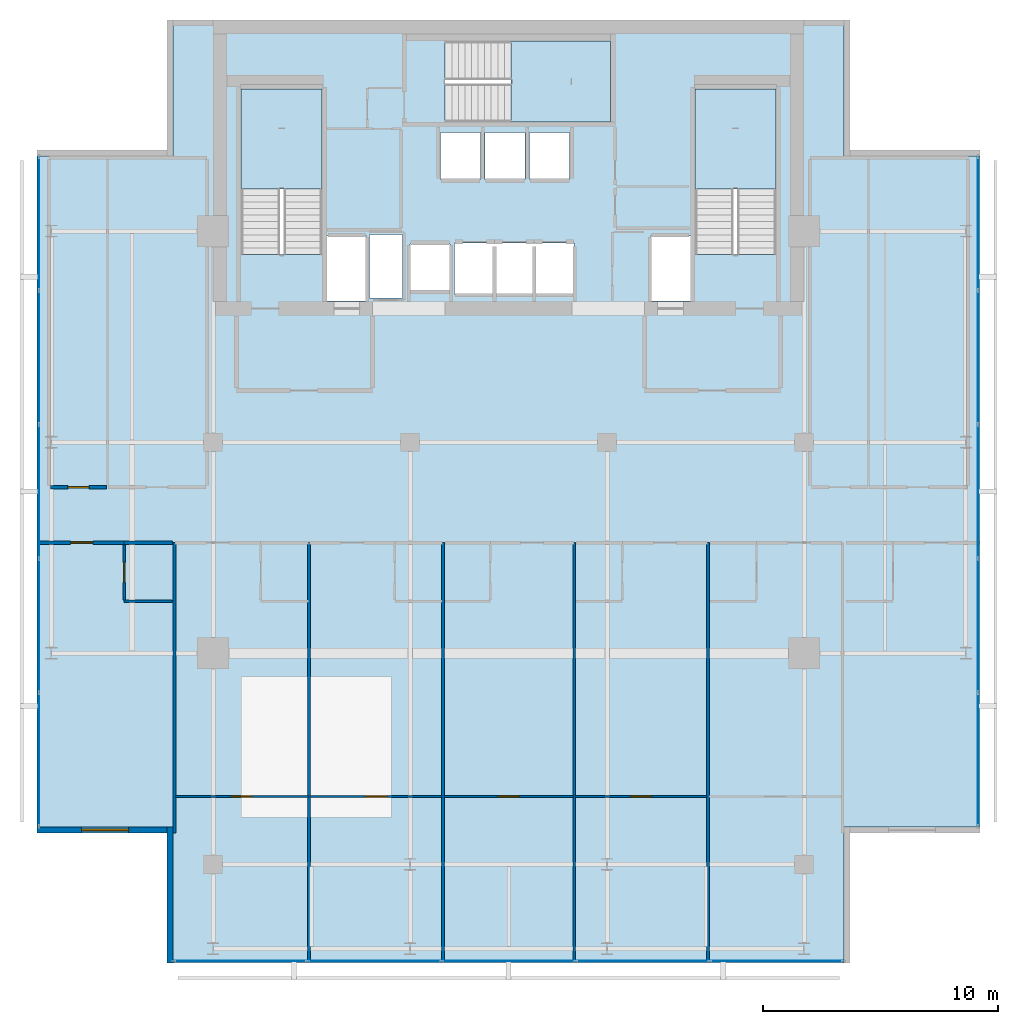
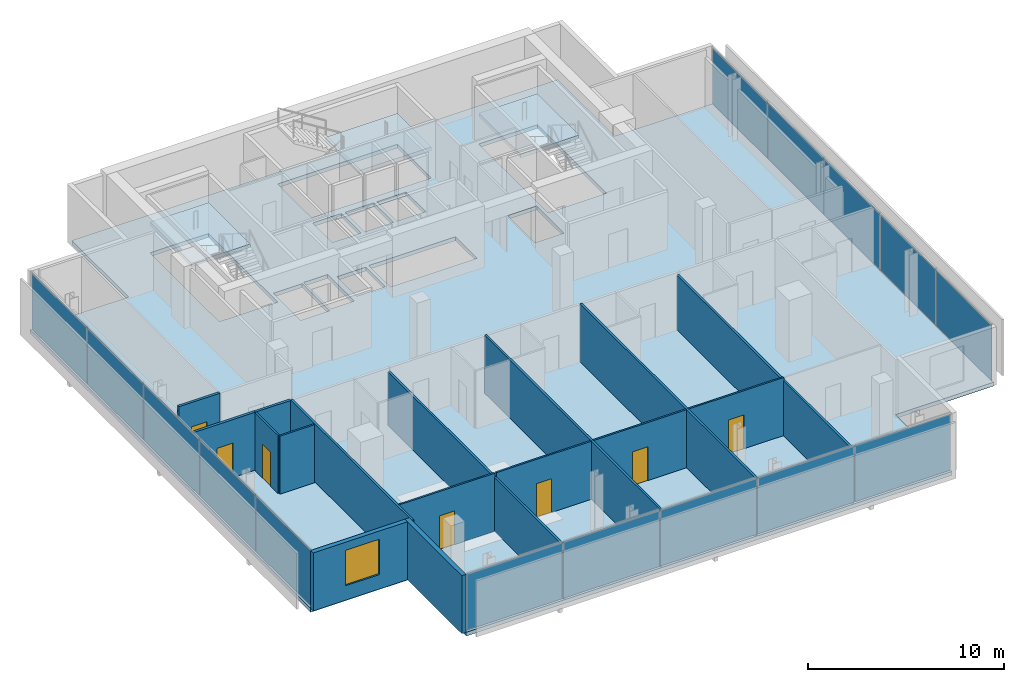
# One storey, part 16 of 24: 16 walls, 15 plates, 7 doors, 4 slabs, 1 window, 8 openings, 6 elements without a shape of their own.
"""IFC4 building model written with IfcOpenShell, lengths in metres."""

from ifc_helpers import new_model, si_unit, direction, frame, frame_2d, origin, origin_2d, place, context, subcontext, project, spatial, polyline, rectangle, outline, extrude, material, layer, layer_set, type_object, element, fill, aggregate, save


model = new_model("IFC4")

# Units and contexts
model_context = context("Model", 3, precision=1e-05, world=origin(), true_north=direction((0.0, 1.0)))
body_context = subcontext(model_context, "Body", "Model", "MODEL_VIEW")
ifc_project = project(units=[si_unit("LENGTHUNIT", "METRE"), si_unit("AREAUNIT", "SQUARE_METRE"), si_unit("VOLUMEUNIT", "CUBIC_METRE"), si_unit("PLANEANGLEUNIT", "RADIAN"), si_unit("MASSUNIT", "GRAM", prefix="KILO")], contexts=[model_context])

# Site, building, storey
site_placement = place(None, origin())
site = spatial("IfcSite", under=ifc_project, at=site_placement, CompositionType="ELEMENT")
building_placement = place(site_placement, origin())
building = spatial("IfcBuilding", under=site, at=building_placement, Name="Maruvema Waterfront Hotel and Observation Tower", CompositionType="ELEMENT")
storey_placement = place(building_placement, frame((0.0, 0.0, 333.550048828125)))
storey = spatial("IfcBuildingStorey", under=building, at=storey_placement, Name="L82", CompositionType="ELEMENT", Elevation=333.550048828125)

# Slab
ifc_material_1 = material(Name="Concrete C50/60", Category="concrete")
ifc_layer_1 = layer(ifc_material_1, 0.239990234375, Name="Reinforced Concrete Floor Slab 240 mm")
ifc_layer_set_1 = layer_set([ifc_layer_1], Name="Concrete C50/60")
slab_type_1 = type_object("IfcSlabType", Name="Reinforced Concrete Floor Slab 240 mm", PredefinedType="FLOOR", material=ifc_layer_set_1)
slab_1_placement = place(storey_placement, frame((0.0, 0.0, -0.239990234375)))
element("IfcSlab", 1, at=slab_1_placement, inside=storey, type_object=slab_type_1, Name="L82 Structural Floor Slab", PredefinedType="FLOOR", context=body_context, shape_type="SweptSolid", body=[
    extrude(outline(polyline([(23.5, 13.800048828125), (52.10009765625, 13.800048828125), (52.10009765625, 19.60009765625), (57.89990234375, 19.60009765625), (57.89990234375, 48.199951171875), (52.10009765625, 48.199951171875), (52.10009765625, 54.0), (23.5, 54.0), (23.5, 48.199951171875), (17.699951171875, 48.199951171875), (17.699951171875, 19.60009765625), (23.5, 19.60009765625), (23.5, 13.800048828125)]), holes=[polyline([(26.39990234375, 44.00048828125), (26.39990234375, 51.050048828125), (29.85009765625, 51.050048828125), (29.85009765625, 44.00048828125), (26.39990234375, 44.00048828125)]), polyline([(30.050048828125, 44.800048828125), (31.75, 44.800048828125), (31.75, 42.02001953125), (30.050048828125, 42.02001953125), (30.050048828125, 44.800048828125)]), polyline([(31.8798828125, 42.139892578125), (31.8798828125, 44.860107421875), (33.280029296875, 44.860107421875), (33.280029296875, 42.139892578125), (31.8798828125, 42.139892578125)]), polyline([(33.60009765625, 44.449951171875), (35.300048828125, 44.449951171875), (35.300048828125, 42.449951171875), (33.60009765625, 42.449951171875), (33.60009765625, 44.449951171875)]), polyline([(34.89990234375, 49.199951171875), (36.60009765625, 49.199951171875), (36.60009765625, 47.199951171875), (34.89990234375, 47.199951171875), (34.89990234375, 49.199951171875)]), polyline([(36.800048828125, 47.199951171875), (36.800048828125, 49.199951171875), (38.5, 49.199951171875), (38.5, 47.199951171875), (36.800048828125, 47.199951171875)]), polyline([(35.5, 42.300048828125), (35.5, 44.5), (40.60009765625, 44.5), (40.60009765625, 42.300048828125), (35.5, 42.300048828125)]), polyline([(35.1005859375, 53.10009765625), (42.14990234375, 53.10009765625), (42.14990234375, 49.64990234375), (35.1005859375, 49.64990234375), (35.1005859375, 53.10009765625)]), polyline([(38.699951171875, 49.199951171875), (40.39990234375, 49.199951171875), (40.39990234375, 47.199951171875), (38.699951171875, 47.199951171875), (38.699951171875, 49.199951171875)]), polyline([(43.85009765625, 44.800048828125), (45.550048828125, 44.800048828125), (45.550048828125, 42.02001953125), (43.85009765625, 42.02001953125), (43.85009765625, 44.800048828125)]), polyline([(45.75, 44.00048828125), (45.75, 51.050048828125), (49.199951171875, 51.050048828125), (49.199951171875, 44.00048828125), (45.75, 44.00048828125)])]), origin(), (0.0, 0.0, 1.0), 0.239990234375),
])

# Curtain wall, plates
ifc_material_2 = material(Name="Anodised bronze aluminium and solar-control low-E IGU", Category="aluminium")
ifc_layer_2 = layer(ifc_material_2, 0.159912109375, Name="Zone 4 Sky Residence Inner Curtain Wall System CW-05")
ifc_layer_set_2 = layer_set([ifc_layer_2], Name="Anodised bronze aluminium and solar-control low-E IGU")
curtain_wall_type = type_object("IfcCurtainWallType", Name="Zone 4 Sky Residence Inner Curtain Wall System CW-05", PredefinedType="USERDEFINED", material=ifc_layer_set_2)
curtain_wall_1_placement = place(storey_placement, origin())
curtain_wall_1 = element("IfcCurtainWall", 2, at=curtain_wall_1_placement, inside=storey, type_object=curtain_wall_type, Name="L82 Curtain Wall CW-L82-S", ObjectType="UNITISED CURTAIN WALL", PredefinedType="USERDEFINED")
ifc_material_3 = material(Name="Laminated low-E solar-control double glazing", Category="glass")
ifc_layer_3 = layer(ifc_material_3, 0.035888671875, Name="Solar Control Double-Glazed Curtain Panel 36 mm")
ifc_layer_set_3 = layer_set([ifc_layer_3], Name="Laminated low-E solar-control double glazing")
plate_type = type_object("IfcPlateType", Name="Solar Control Double-Glazed Curtain Panel 36 mm", PredefinedType="CURTAIN_PANEL", material=ifc_layer_set_3)
plate_1_placement = place(storey_placement, frame((26.375, 13.8798828125, 0.06005859375), z_axis=(0.0, 0.0, 1.0), x_axis=(1.0, 0.0, 0.0)))
plate_1 = element("IfcPlate", 3, at=plate_1_placement, type_object=plate_type, Name="CW-05 panel 1.1", PredefinedType="CURTAIN_PANEL", context=body_context, shape_type="SweptSolid", body=[
    extrude(rectangle(XDim=5.6298828125, YDim=0.028076171875, at=origin_2d()), origin(), (0.0, 0.0, 1.0), 3.489990234375),
])
plate_2_placement = place(storey_placement, frame((32.080078125, 13.8798828125, 0.06005859375), z_axis=(0.0, 0.0, 1.0), x_axis=(1.0, 0.0, 0.0)))
plate_2 = element("IfcPlate", 4, at=plate_2_placement, type_object=plate_type, Name="CW-05 panel 2.1", PredefinedType="CURTAIN_PANEL", context=body_context, shape_type="SweptSolid", body=[
    extrude(rectangle(XDim=5.659912109375, YDim=0.028076171875, at=origin_2d()), origin(), (0.0, 0.0, 1.0), 3.489990234375),
])
plate_3_placement = place(storey_placement, frame((37.800048828125, 13.8798828125, 0.06005859375), z_axis=(0.0, 0.0, 1.0), x_axis=(1.0, 0.0, 0.0)))
plate_3 = element("IfcPlate", 5, at=plate_3_placement, type_object=plate_type, Name="CW-05 panel 3.1", PredefinedType="CURTAIN_PANEL", context=body_context, shape_type="SweptSolid", body=[
    extrude(rectangle(XDim=5.659912109375, YDim=0.028076171875, at=origin_2d()), origin(), (0.0, 0.0, 1.0), 3.489990234375),
])
plate_4_placement = place(storey_placement, frame((43.52001953125, 13.8798828125, 0.06005859375), z_axis=(0.0, 0.0, 1.0), x_axis=(1.0, 0.0, 0.0)))
plate_4 = element("IfcPlate", 6, at=plate_4_placement, type_object=plate_type, Name="CW-05 panel 4.1", PredefinedType="CURTAIN_PANEL", context=body_context, shape_type="SweptSolid", body=[
    extrude(rectangle(XDim=5.659912109375, YDim=0.028076171875, at=origin_2d()), origin(), (0.0, 0.0, 1.0), 3.489990234375),
])
plate_5_placement = place(storey_placement, frame((49.22509765625, 13.8798828125, 0.06005859375), z_axis=(0.0, 0.0, 1.0), x_axis=(1.0, 0.0, 0.0)))
plate_5 = element("IfcPlate", 7, at=plate_5_placement, type_object=plate_type, Name="CW-05 panel 5.1", PredefinedType="CURTAIN_PANEL", context=body_context, shape_type="SweptSolid", body=[
    extrude(rectangle(XDim=5.6298828125, YDim=0.028076171875, at=origin_2d()), origin(), (0.0, 0.0, 1.0), 3.489990234375),
])
aggregate(curtain_wall_1, [plate_1, plate_2, plate_3, plate_4, plate_5])

curtain_wall_2_placement = place(storey_placement, origin())
curtain_wall_2 = element("IfcCurtainWall", 8, at=curtain_wall_2_placement, inside=storey, type_object=curtain_wall_type, Name="L82 Curtain Wall CW-L82-E", ObjectType="UNITISED CURTAIN WALL", PredefinedType="USERDEFINED")
plate_6_placement = place(storey_placement, frame((57.820068359375, 22.47509765625, 0.06005859375), z_axis=(0.0, 0.0, 1.0), x_axis=(0.0, 1.0, 0.0)))
plate_6 = element("IfcPlate", 9, at=plate_6_placement, type_object=plate_type, Name="CW-05 panel 1.1", PredefinedType="CURTAIN_PANEL", context=body_context, shape_type="SweptSolid", body=[
    extrude(rectangle(XDim=5.6298828125, YDim=0.028076171875, at=origin_2d()), origin(), (0.0, 0.0, 1.0), 3.489990234375),
])
plate_7_placement = place(storey_placement, frame((57.820068359375, 28.179931640625, 0.06005859375), z_axis=(0.0, 0.0, 1.0), x_axis=(0.0, 1.0, 0.0)))
plate_7 = element("IfcPlate", 10, at=plate_7_placement, type_object=plate_type, Name="CW-05 panel 2.1", PredefinedType="CURTAIN_PANEL", context=body_context, shape_type="SweptSolid", body=[
    extrude(rectangle(XDim=5.659912109375, YDim=0.028076171875, at=origin_2d()), origin(), (0.0, 0.0, 1.0), 3.489990234375),
])
plate_8_placement = place(storey_placement, frame((57.820068359375, 33.89990234375, 0.06005859375), z_axis=(0.0, 0.0, 1.0), x_axis=(0.0, 1.0, 0.0)))
plate_8 = element("IfcPlate", 11, at=plate_8_placement, type_object=plate_type, Name="CW-05 panel 3.1", PredefinedType="CURTAIN_PANEL", context=body_context, shape_type="SweptSolid", body=[
    extrude(rectangle(XDim=5.659912109375, YDim=0.028076171875, at=origin_2d()), origin(), (0.0, 0.0, 1.0), 3.489990234375),
])
plate_9_placement = place(storey_placement, frame((57.820068359375, 39.6201171875, 0.06005859375), z_axis=(0.0, 0.0, 1.0), x_axis=(0.0, 1.0, 0.0)))
plate_9 = element("IfcPlate", 12, at=plate_9_placement, type_object=plate_type, Name="CW-05 panel 4.1", PredefinedType="CURTAIN_PANEL", context=body_context, shape_type="SweptSolid", body=[
    extrude(rectangle(XDim=5.659912109375, YDim=0.028076171875, at=origin_2d()), origin(), (0.0, 0.0, 1.0), 3.489990234375),
])
plate_10_placement = place(storey_placement, frame((57.820068359375, 45.324951171875, 0.06005859375), z_axis=(0.0, 0.0, 1.0), x_axis=(0.0, 1.0, 0.0)))
plate_10 = element("IfcPlate", 13, at=plate_10_placement, type_object=plate_type, Name="CW-05 panel 5.1", PredefinedType="CURTAIN_PANEL", context=body_context, shape_type="SweptSolid", body=[
    extrude(rectangle(XDim=5.6298828125, YDim=0.028076171875, at=origin_2d()), origin(), (0.0, 0.0, 1.0), 3.489990234375),
])
aggregate(curtain_wall_2, [plate_6, plate_7, plate_8, plate_9, plate_10])

curtain_wall_3_placement = place(storey_placement, origin())
curtain_wall_3 = element("IfcCurtainWall", 14, at=curtain_wall_3_placement, inside=storey, type_object=curtain_wall_type, Name="L82 Curtain Wall CW-L82-W", ObjectType="UNITISED CURTAIN WALL", PredefinedType="USERDEFINED")
plate_11_placement = place(storey_placement, frame((17.780029296875, 45.324951171875, 0.06005859375), z_axis=(0.0, 0.0, 1.0), x_axis=(0.0, -1.0, 0.0)))
plate_11 = element("IfcPlate", 15, at=plate_11_placement, type_object=plate_type, Name="CW-05 panel 1.1", PredefinedType="CURTAIN_PANEL", context=body_context, shape_type="SweptSolid", body=[
    extrude(rectangle(XDim=5.6298828125, YDim=0.028076171875, at=origin_2d()), origin(), (0.0, 0.0, 1.0), 3.489990234375),
])
plate_12_placement = place(storey_placement, frame((17.780029296875, 39.6201171875, 0.06005859375), z_axis=(0.0, 0.0, 1.0), x_axis=(0.0, -1.0, 0.0)))
plate_12 = element("IfcPlate", 16, at=plate_12_placement, type_object=plate_type, Name="CW-05 panel 2.1", PredefinedType="CURTAIN_PANEL", context=body_context, shape_type="SweptSolid", body=[
    extrude(rectangle(XDim=5.659912109375, YDim=0.028076171875, at=origin_2d()), origin(), (0.0, 0.0, 1.0), 3.489990234375),
])
plate_13_placement = place(storey_placement, frame((17.780029296875, 33.89990234375, 0.06005859375), z_axis=(0.0, 0.0, 1.0), x_axis=(0.0, -1.0, 0.0)))
plate_13 = element("IfcPlate", 17, at=plate_13_placement, type_object=plate_type, Name="CW-05 panel 3.1", PredefinedType="CURTAIN_PANEL", context=body_context, shape_type="SweptSolid", body=[
    extrude(rectangle(XDim=5.659912109375, YDim=0.028076171875, at=origin_2d()), origin(), (0.0, 0.0, 1.0), 3.489990234375),
])
plate_14_placement = place(storey_placement, frame((17.780029296875, 28.179931640625, 0.06005859375), z_axis=(0.0, 0.0, 1.0), x_axis=(0.0, -1.0, 0.0)))
plate_14 = element("IfcPlate", 18, at=plate_14_placement, type_object=plate_type, Name="CW-05 panel 4.1", PredefinedType="CURTAIN_PANEL", context=body_context, shape_type="SweptSolid", body=[
    extrude(rectangle(XDim=5.659912109375, YDim=0.028076171875, at=origin_2d()), origin(), (0.0, 0.0, 1.0), 3.489990234375),
])
plate_15_placement = place(storey_placement, frame((17.780029296875, 22.47509765625, 0.06005859375), z_axis=(0.0, 0.0, 1.0), x_axis=(0.0, -1.0, 0.0)))
plate_15 = element("IfcPlate", 19, at=plate_15_placement, type_object=plate_type, Name="CW-05 panel 5.1", PredefinedType="CURTAIN_PANEL", context=body_context, shape_type="SweptSolid", body=[
    extrude(rectangle(XDim=5.6298828125, YDim=0.028076171875, at=origin_2d()), origin(), (0.0, 0.0, 1.0), 3.489990234375),
])
aggregate(curtain_wall_3, [plate_11, plate_12, plate_13, plate_14, plate_15])

# Stair, slab
ifc_material_4 = material(Name="Concrete C50/60", Category="concrete")
stair_type = type_object("IfcStairType", Name="Dogleg Exit Stair 1650 mm (22R x 175.0 mm)", PredefinedType="HALF_TURN_STAIR", material=ifc_material_4)
stair_1_placement = place(storey_placement, origin())
stair_1 = element("IfcStair", 20, at=stair_1_placement, inside=storey, type_object=stair_type, Name="L82 ST-01", PredefinedType="HALF_TURN_STAIR")
ifc_material_5 = material(Name="Concrete C50/60", Category="concrete")
ifc_layer_4 = layer(ifc_material_5, 0.219970703125, Name="Stair Concrete Landing Slab 220 mm")
ifc_layer_set_4 = layer_set([ifc_layer_4], Name="Concrete C50/60")
slab_type_2 = type_object("IfcSlabType", Name="Stair Concrete Landing Slab 220 mm", PredefinedType="LANDING", material=ifc_layer_set_4)
slab_2_placement = place(storey_placement, frame((0.0, 0.0, 1.704833984375)))
slab_2 = element("IfcSlab", 21, at=slab_2_placement, type_object=slab_type_2, Name="ST-01 landing 1", PredefinedType="LANDING", context=body_context, shape_type="SweptSolid", body=[
    extrude(outline(polyline([(29.85009765625, 46.800048828125), (29.85009765625, 51.050048828125), (26.39990234375, 51.050048828125), (26.39990234375, 46.800048828125), (29.85009765625, 46.800048828125)])), origin(), (0.0, 0.0, 1.0), 0.22021484375),
])
aggregate(stair_1, [slab_2])

stair_2_placement = place(storey_placement, origin())
stair_2 = element("IfcStair", 22, at=stair_2_placement, inside=storey, type_object=stair_type, Name="L82 ST-02", PredefinedType="HALF_TURN_STAIR")
slab_3_placement = place(storey_placement, frame((0.0, 0.0, 1.704833984375)))
slab_3 = element("IfcSlab", 23, at=slab_3_placement, type_object=slab_type_2, Name="ST-02 landing 1", PredefinedType="LANDING", context=body_context, shape_type="SweptSolid", body=[
    extrude(outline(polyline([(37.89990234375, 49.64990234375), (42.14990234375, 49.64990234375), (42.14990234375, 53.10009765625), (37.89990234375, 53.10009765625), (37.89990234375, 49.64990234375)])), origin(), (0.0, 0.0, 1.0), 0.22021484375),
])
aggregate(stair_2, [slab_3])

stair_3_placement = place(storey_placement, origin())
stair_3 = element("IfcStair", 24, at=stair_3_placement, inside=storey, type_object=stair_type, Name="L82 ST-03", PredefinedType="HALF_TURN_STAIR")
slab_4_placement = place(storey_placement, frame((0.0, 0.0, 1.704833984375)))
slab_4 = element("IfcSlab", 25, at=slab_4_placement, type_object=slab_type_2, Name="ST-03 landing 1", PredefinedType="LANDING", context=body_context, shape_type="SweptSolid", body=[
    extrude(outline(polyline([(49.199951171875, 46.800048828125), (49.199951171875, 51.050048828125), (45.75, 51.050048828125), (45.75, 46.800048828125), (49.199951171875, 46.800048828125)])), origin(), (0.0, 0.0, 1.0), 0.22021484375),
])
aggregate(stair_3, [slab_4])

# Wall, opening, door
ifc_material_6 = material(Name="Twin-stud acoustic gypsum drywall", Category="gypsum")
ifc_layer_5 = layer(ifc_material_6, 0.14990234375, Name="Acoustic Corridor and Suite Demising Wall 150 mm")
ifc_layer_set_5 = layer_set([ifc_layer_5], Name="Twin-stud acoustic gypsum drywall")
wall_type_1 = type_object("IfcWallType", Name="Acoustic Corridor and Suite Demising Wall 150 mm", PredefinedType="PARTITIONING", material=ifc_layer_set_5)
wall_1_placement = place(storey_placement, frame((18.260009765625, 34.080078125, 0.0), z_axis=(0.0, 0.0, 1.0), x_axis=(1.0, 0.0, 0.0)))
wall_1 = element("IfcWall", 26, at=wall_1_placement, inside=storey, type_object=wall_type_1, Name="L82 L82-Z4W Front 1 024", PredefinedType="PARTITIONING", context=body_context, shape_type="SweptSolid", body=[
    extrude(rectangle(XDim=2.407470703125, YDim=0.14990234375, at=frame_2d((1.20361328125, 0.0))), origin(), (0.0, 0.0, 1.0), 3.60986328125),
])
opening_1_placement = place(wall_1_placement, frame((0.753662109375, 0.0, 0.0)))
opening_1 = element("IfcOpeningElement", 27, at=opening_1_placement, cuts=wall_1, Name="Opening DR-090", PredefinedType="OPENING", context=body_context, shape_type="SweptSolid", body=[
    extrude(rectangle(XDim=0.89990234375, YDim=2.10009765625, at=frame_2d((0.449951171875, 1.050048828125))), frame((0.0, 0.0849609375, 0.0), z_axis=(0.0, -1.0, 0.0), x_axis=(1.0, 0.0, 0.0)), (0.0, 0.0, 1.0), 0.169921875),
])
ifc_material_7 = material(Name="Solid-core lacquered timber leaf", Category="wood")
door_type_1 = type_object("IfcDoorType", Name="Accessible Toilet and Room Door 900x2100 mm", OperationType="NOTDEFINED", PredefinedType="DOOR", material=ifc_material_7)
door_1_placement = place(opening_1_placement, frame((0.89990234375, 0.0, 0.0), z_axis=(0.0, 0.0, 1.0), x_axis=(-1.0, 0.0, 0.0)))
door_1 = element("IfcDoor", 28, at=door_1_placement, inside=storey, type_object=door_type_1, Name="L82 Butler Kitchenette Door", OperationType="SINGLE_SWING_RIGHT", OverallHeight=2.10009765625, OverallWidth=0.89990234375, PredefinedType="DOOR", context=body_context, shape_type="SweptSolid", body=[
    extrude(rectangle(XDim=0.89990234375, YDim=2.10009765625, at=frame_2d((0.449951171875, 1.050048828125))), frame((0.0, 0.02490234375, 0.0), z_axis=(0.0, -1.0, 0.0), x_axis=(1.0, 0.0, 0.0)), (0.0, 0.0, 1.0), 0.050048828125),
])
fill(opening_1, door_1)

# Wall
wall_2_placement = place(storey_placement, frame((21.409912109375, 31.719970703125, 0.0), z_axis=(0.0, 0.0, 1.0), x_axis=(1.0, 0.0, 0.0)))
element("IfcWall", 29, at=wall_2_placement, inside=storey, type_object=wall_type_1, Name="L82 Bath L82-SKW Back Wall 064", PredefinedType="PARTITIONING", context=body_context, shape_type="SweptSolid", body=[
    extrude(rectangle(XDim=2.06005859375, YDim=0.14990234375, at=frame_2d((1.030029296875, 0.0))), origin(), (0.0, 0.0, 1.0), 3.60986328125),
])

# Wall, opening, door
wall_3_placement = place(storey_placement, frame((17.7900390625, 31.719970703125, 0.0), z_axis=(0.0, 0.0, 1.0), x_axis=(1.0, 0.0, 0.0)))
wall_3 = element("IfcWall", 30, at=wall_3_placement, inside=storey, type_object=wall_type_1, Name="L82 Unit L82-SKW Corridor Wall 067", PredefinedType="PARTITIONING", context=body_context, shape_type="SweptSolid", body=[
    extrude(rectangle(XDim=3.619873046875, YDim=0.14990234375, at=frame_2d((1.81005859375, 0.0))), origin(), (0.0, 0.0, 1.0), 3.60986328125),
])
opening_2_placement = place(wall_3_placement, frame((1.3349609375, 0.0, 0.0)))
opening_2 = element("IfcOpeningElement", 31, at=opening_2_placement, cuts=wall_3, Name="Opening DR-095", PredefinedType="OPENING", context=body_context, shape_type="SweptSolid", body=[
    extrude(rectangle(XDim=0.949951171875, YDim=2.14990234375, at=frame_2d((0.47509765625, 1.074951171875))), frame((0.0, 0.0849609375, 0.0), z_axis=(0.0, -1.0, 0.0), x_axis=(1.0, 0.0, 0.0)), (0.0, 0.0, 1.0), 0.169921875),
])
ifc_material_8 = material(Name="Acoustic solid-core hardwood timber leaf", Category="wood")
door_type_2 = type_object("IfcDoorType", Name="Guestroom Entrance Fire Door 950x2150 mm", OperationType="NOTDEFINED", PredefinedType="DOOR", material=ifc_material_8)
door_2_placement = place(opening_2_placement, frame((0.949951171875, 0.0, 0.0), z_axis=(0.0, 0.0, 1.0), x_axis=(-1.0, 0.0, 0.0)))
door_2 = element("IfcDoor", 32, at=door_2_placement, inside=storey, type_object=door_type_2, Name="L82 Unit L82-SKW Entrance Door", OperationType="SINGLE_SWING_RIGHT", OverallHeight=2.14990234375, OverallWidth=0.949951171875, PredefinedType="DOOR", context=body_context, shape_type="SweptSolid", body=[
    extrude(rectangle(XDim=0.949951171875, YDim=2.14990234375, at=frame_2d((0.47509765625, 1.074951171875))), frame((0.0, 0.02490234375, 0.0), z_axis=(0.0, -1.0, 0.0), x_axis=(1.0, 0.0, 0.0)), (0.0, 0.0, 1.0), 0.050048828125),
])
fill(opening_2, door_2)

ifc_material_9 = material(Name="Moisture-resistant cement-board drywall", Category="gypsum")
ifc_layer_6 = layer(ifc_material_9, 0.10009765625, Name="En-Suite Moisture-Resistant Partition 100 mm")
ifc_layer_set_6 = layer_set([ifc_layer_6], Name="Moisture-resistant cement-board drywall")
wall_type_2 = type_object("IfcWallType", Name="En-Suite Moisture-Resistant Partition 100 mm", PredefinedType="PARTITIONING", material=ifc_layer_set_6)
wall_4_placement = place(storey_placement, frame((23.6025390625, 20.893310546875, 0.0), z_axis=(0.0, 0.0, 1.0), x_axis=(1.0, 0.0, 0.0)))
wall_4 = element("IfcWall", 33, at=wall_4_placement, inside=storey, type_object=wall_type_2, Name="L82 Suite L82-SK1 Split 039", PredefinedType="PARTITIONING", context=body_context, shape_type="SweptSolid", body=[
    extrude(rectangle(XDim=5.657470703125, YDim=0.10009765625, at=frame_2d((2.82861328125, 0.0))), origin(), (0.0, 0.0, 1.0), 3.60986328125),
])
opening_3_placement = place(wall_4_placement, frame((2.37890625, 0.0, 0.0)))
opening_3 = element("IfcOpeningElement", 34, at=opening_3_placement, cuts=wall_4, Name="Opening DR-090", PredefinedType="OPENING", context=body_context, shape_type="SweptSolid", body=[
    extrude(rectangle(XDim=0.89990234375, YDim=2.10009765625, at=frame_2d((0.449951171875, 1.050048828125))), frame((0.0, 0.06005859375, 0.0), z_axis=(0.0, -1.0, 0.0), x_axis=(1.0, 0.0, 0.0)), (0.0, 0.0, 1.0), 0.1201171875),
])
door_3_placement = place(opening_3_placement, frame((0.89990234375, 0.0, 0.0), z_axis=(0.0, 0.0, 1.0), x_axis=(-1.0, 0.0, 0.0)))
door_3 = element("IfcDoor", 35, at=door_3_placement, inside=storey, type_object=door_type_1, Name="L82 Suite L82-SK1 Bedroom Door", OperationType="SINGLE_SWING_RIGHT", OverallHeight=2.10009765625, OverallWidth=0.89990234375, PredefinedType="DOOR", context=body_context, shape_type="SweptSolid", body=[
    extrude(rectangle(XDim=0.89990234375, YDim=2.10009765625, at=frame_2d((0.449951171875, 1.050048828125))), frame((0.0, 0.02490234375, 0.0), z_axis=(0.0, -1.0, 0.0), x_axis=(1.0, 0.0, 0.0)), (0.0, 0.0, 1.0), 0.050048828125),
])
fill(opening_3, door_3)

wall_5_placement = place(storey_placement, frame((29.340087890625, 20.893310546875, 0.0), z_axis=(0.0, 0.0, 1.0), x_axis=(1.0, 0.0, 0.0)))
wall_5 = element("IfcWall", 36, at=wall_5_placement, inside=storey, type_object=wall_type_2, Name="L82 Suite L82-SK2 Split 045", PredefinedType="PARTITIONING", context=body_context, shape_type="SweptSolid", body=[
    extrude(rectangle(XDim=5.619873046875, YDim=0.10009765625, at=frame_2d((2.81005859375, 0.0))), origin(), (0.0, 0.0, 1.0), 3.60986328125),
])
opening_4_placement = place(wall_5_placement, frame((2.360107421875, 0.0, 0.0)))
opening_4 = element("IfcOpeningElement", 37, at=opening_4_placement, cuts=wall_5, Name="Opening DR-090", PredefinedType="OPENING", context=body_context, shape_type="SweptSolid", body=[
    extrude(rectangle(XDim=0.89990234375, YDim=2.10009765625, at=frame_2d((0.449951171875, 1.050048828125))), frame((0.0, 0.06005859375, 0.0), z_axis=(0.0, -1.0, 0.0), x_axis=(1.0, 0.0, 0.0)), (0.0, 0.0, 1.0), 0.1201171875),
])
door_4_placement = place(opening_4_placement, frame((0.89990234375, 0.0, 0.0), z_axis=(0.0, 0.0, 1.0), x_axis=(-1.0, 0.0, 0.0)))
door_4 = element("IfcDoor", 38, at=door_4_placement, inside=storey, type_object=door_type_1, Name="L82 Suite L82-SK2 Bedroom Door", OperationType="SINGLE_SWING_LEFT", OverallHeight=2.10009765625, OverallWidth=0.89990234375, PredefinedType="DOOR", context=body_context, shape_type="SweptSolid", body=[
    extrude(rectangle(XDim=0.89990234375, YDim=2.10009765625, at=frame_2d((0.449951171875, 1.050048828125))), frame((0.0, 0.02490234375, 0.0), z_axis=(0.0, -1.0, 0.0), x_axis=(1.0, 0.0, 0.0)), (0.0, 0.0, 1.0), 0.050048828125),
])
fill(opening_4, door_4)

wall_6_placement = place(storey_placement, frame((35.0400390625, 20.893310546875, 0.0), z_axis=(0.0, 0.0, 1.0), x_axis=(1.0, 0.0, 0.0)))
wall_6 = element("IfcWall", 39, at=wall_6_placement, inside=storey, type_object=wall_type_2, Name="L82 Suite L82-SK3 Split 051", PredefinedType="PARTITIONING", context=body_context, shape_type="SweptSolid", body=[
    extrude(rectangle(XDim=5.52001953125, YDim=0.10009765625, at=frame_2d((2.760009765625, 0.0))), origin(), (0.0, 0.0, 1.0), 3.60986328125),
])
opening_5_placement = place(wall_6_placement, frame((2.31005859375, 0.0, 0.0)))
opening_5 = element("IfcOpeningElement", 40, at=opening_5_placement, cuts=wall_6, Name="Opening DR-090", PredefinedType="OPENING", context=body_context, shape_type="SweptSolid", body=[
    extrude(rectangle(XDim=0.89990234375, YDim=2.10009765625, at=frame_2d((0.449951171875, 1.050048828125))), frame((0.0, 0.06005859375, 0.0), z_axis=(0.0, -1.0, 0.0), x_axis=(1.0, 0.0, 0.0)), (0.0, 0.0, 1.0), 0.1201171875),
])
door_5_placement = place(opening_5_placement, frame((0.89990234375, 0.0, 0.0), z_axis=(0.0, 0.0, 1.0), x_axis=(-1.0, 0.0, 0.0)))
door_5 = element("IfcDoor", 41, at=door_5_placement, inside=storey, type_object=door_type_1, Name="L82 Suite L82-SK3 Bedroom Door", OperationType="SINGLE_SWING_RIGHT", OverallHeight=2.10009765625, OverallWidth=0.89990234375, PredefinedType="DOOR", context=body_context, shape_type="SweptSolid", body=[
    extrude(rectangle(XDim=0.89990234375, YDim=2.10009765625, at=frame_2d((0.449951171875, 1.050048828125))), frame((0.0, 0.02490234375, 0.0), z_axis=(0.0, -1.0, 0.0), x_axis=(1.0, 0.0, 0.0)), (0.0, 0.0, 1.0), 0.050048828125),
])
fill(opening_5, door_5)

wall_7_placement = place(storey_placement, frame((40.639892578125, 20.893310546875, 0.0), z_axis=(0.0, 0.0, 1.0), x_axis=(1.0, 0.0, 0.0)))
wall_7 = element("IfcWall", 42, at=wall_7_placement, inside=storey, type_object=wall_type_2, Name="L82 Suite L82-SK4 Split 057", PredefinedType="PARTITIONING", context=body_context, shape_type="SweptSolid", body=[
    extrude(rectangle(XDim=5.6201171875, YDim=0.10009765625, at=frame_2d((2.81005859375, 0.0))), origin(), (0.0, 0.0, 1.0), 3.60986328125),
])
opening_6_placement = place(wall_7_placement, frame((2.360107421875, 0.0, 0.0)))
opening_6 = element("IfcOpeningElement", 43, at=opening_6_placement, cuts=wall_7, Name="Opening DR-090", PredefinedType="OPENING", context=body_context, shape_type="SweptSolid", body=[
    extrude(rectangle(XDim=0.89990234375, YDim=2.10009765625, at=frame_2d((0.449951171875, 1.050048828125))), frame((0.0, 0.06005859375, 0.0), z_axis=(0.0, -1.0, 0.0), x_axis=(1.0, 0.0, 0.0)), (0.0, 0.0, 1.0), 0.1201171875),
])
door_6_placement = place(opening_6_placement, frame((0.89990234375, 0.0, 0.0), z_axis=(0.0, 0.0, 1.0), x_axis=(-1.0, 0.0, 0.0)))
door_6 = element("IfcDoor", 44, at=door_6_placement, inside=storey, type_object=door_type_1, Name="L82 Suite L82-SK4 Bedroom Door", OperationType="SINGLE_SWING_LEFT", OverallHeight=2.10009765625, OverallWidth=0.89990234375, PredefinedType="DOOR", context=body_context, shape_type="SweptSolid", body=[
    extrude(rectangle(XDim=0.89990234375, YDim=2.10009765625, at=frame_2d((0.449951171875, 1.050048828125))), frame((0.0, 0.02490234375, 0.0), z_axis=(0.0, -1.0, 0.0), x_axis=(1.0, 0.0, 0.0)), (0.0, 0.0, 1.0), 0.050048828125),
])
fill(opening_6, door_6)

# Wall
wall_8_placement = place(storey_placement, frame((21.409912109375, 29.219970703125, 0.0), z_axis=(0.0, 0.0, 1.0), x_axis=(1.0, 0.0, 0.0)))
element("IfcWall", 45, at=wall_8_placement, inside=storey, type_object=wall_type_2, Name="L82 En-Suite L82-SKW South 065", PredefinedType="PARTITIONING", context=body_context, shape_type="SweptSolid", body=[
    extrude(rectangle(XDim=2.0400390625, YDim=0.10009765625, at=frame_2d((1.02001953125, 0.0))), origin(), (0.0, 0.0, 1.0), 3.60986328125),
])

# Wall, opening, door
wall_9_placement = place(storey_placement, frame((21.409912109375, 29.280029296875, 0.0), z_axis=(0.0, 0.0, 1.0), x_axis=(0.0, 1.0, 0.0)))
wall_9 = element("IfcWall", 46, at=wall_9_placement, inside=storey, type_object=wall_type_2, Name="L82 En-Suite L82-SKW West 066", PredefinedType="PARTITIONING", context=body_context, shape_type="SweptSolid", body=[
    extrude(rectangle(XDim=2.340087890625, YDim=0.10009765625, at=frame_2d((1.169921875, 0.0))), origin(), (0.0, 0.0, 1.0), 3.60986328125),
])
opening_7_placement = place(wall_9_placement, frame((0.7451171875, 0.0, 0.0)))
opening_7 = element("IfcOpeningElement", 47, at=opening_7_placement, cuts=wall_9, Name="Opening DR-085", PredefinedType="OPENING", context=body_context, shape_type="SweptSolid", body=[
    extrude(rectangle(XDim=0.85009765625, YDim=2.10009765625, at=frame_2d((0.425048828125, 1.050048828125))), frame((0.0, 0.06005859375, 0.0), z_axis=(0.0, -1.0, 0.0), x_axis=(1.0, 0.0, 0.0)), (0.0, 0.0, 1.0), 0.1201171875),
])
ifc_material_10 = material(Name="Moisture-resistant solid timber leaf", Category="wood")
door_type_3 = type_object("IfcDoorType", Name="En-Suite Bathroom Door 850x2100 mm", OperationType="NOTDEFINED", PredefinedType="DOOR", material=ifc_material_10)
door_7_placement = place(opening_7_placement, origin())
door_7 = element("IfcDoor", 48, at=door_7_placement, inside=storey, type_object=door_type_3, Name="L82 En-Suite L82-SKW Door", OperationType="SINGLE_SWING_LEFT", OverallHeight=2.10009765625, OverallWidth=0.85009765625, PredefinedType="DOOR", context=body_context, shape_type="SweptSolid", body=[
    extrude(rectangle(XDim=0.85009765625, YDim=2.10009765625, at=frame_2d((0.425048828125, 1.050048828125))), frame((0.0, 0.02490234375, 0.0), z_axis=(0.0, -1.0, 0.0), x_axis=(1.0, 0.0, 0.0)), (0.0, 0.0, 1.0), 0.050048828125),
])
fill(opening_7, door_7)

# Wall
ifc_material_11 = material(Name="Precast concrete C45/55 with honed Pernambuco granite facing", Category="masonry")
ifc_layer_7 = layer(ifc_material_11, 0.260009765625, Name="Exterior Granite Clad Spandrel and Pier Wall 260 mm")
ifc_layer_set_7 = layer_set([ifc_layer_7], Name="Precast concrete C45/55 with honed Pernambuco granite facing")
wall_type_3 = type_object("IfcWallType", Name="Exterior Granite Clad Spandrel and Pier Wall 260 mm", PredefinedType="SOLIDWALL", material=ifc_layer_set_7)
wall_10_placement = place(storey_placement, frame((23.3701171875, 13.800048828125, 0.0), z_axis=(0.0, 0.0, 1.0), x_axis=(0.0, 1.0, 0.0)))
element("IfcWall", 49, at=wall_10_placement, inside=storey, type_object=wall_type_3, Name="L82 Corner Notch Granite Pier Wall SW1", PredefinedType="SOLIDWALL", context=body_context, shape_type="SweptSolid", body=[
    extrude(rectangle(XDim=5.800048828125, YDim=0.260009765625, at=frame_2d((2.89990234375, 0.0))), origin(), (0.0, 0.0, 1.0), 3.60986328125),
])

# Wall, opening, window
wall_11_placement = place(storey_placement, frame((23.5, 19.469970703125, 0.0), z_axis=(0.0, 0.0, 1.0), x_axis=(-1.0, 0.0, 0.0)))
wall_11 = element("IfcWall", 50, at=wall_11_placement, inside=storey, type_object=wall_type_3, Name="L82 Corner Notch Granite Pier Wall SW2", PredefinedType="SOLIDWALL", context=body_context, shape_type="SweptSolid", body=[
    extrude(rectangle(XDim=5.800048828125, YDim=0.260009765625, at=frame_2d((2.89990234375, 0.0))), origin(), (0.0, 0.0, 1.0), 3.60986328125),
])
opening_8_placement = place(wall_11_placement, frame((1.89990234375, 0.0, 0.89990234375)))
opening_8 = element("IfcOpeningElement", 51, at=opening_8_placement, cuts=wall_11, Name="Opening WN-03", PredefinedType="OPENING", context=body_context, shape_type="SweptSolid", body=[
    extrude(rectangle(XDim=2.0, YDim=2.199951171875, at=frame_2d((1.0, 1.10009765625))), frame((0.0, 0.14013671875, 0.0), z_axis=(0.0, -1.0, 0.0), x_axis=(1.0, 0.0, 0.0)), (0.0, 0.0, 1.0), 0.280029296875),
])
ifc_material_12 = material(Name="Anodised bronze aluminium frame with laminated low-E glass", Category="aluminium")
window_type = type_object("IfcWindowType", Name="Sky Suite Panoramic Notch Window 2000x2200 mm", PartitioningType="SINGLE_PANEL", PredefinedType="WINDOW", material=ifc_material_12)
window_placement = place(opening_8_placement, origin())
window = element("IfcWindow", 52, at=window_placement, inside=storey, type_object=window_type, Name="L82 Corner Notch Punched Window SW2", OverallHeight=2.199951171875, OverallWidth=2.0, PartitioningType="SINGLE_PANEL", PredefinedType="WINDOW", context=body_context, shape_type="SweptSolid", body=[
    extrude(rectangle(XDim=2.0, YDim=2.199951171875, at=frame_2d((1.0, 1.10009765625))), frame((0.0, 0.030029296875, 0.0), z_axis=(0.0, -1.0, 0.0), x_axis=(1.0, 0.0, 0.0)), (0.0, 0.0, 1.0), 0.06005859375),
])
fill(opening_8, window)

# Walls
ifc_material_13 = material(Name="Acoustic gypsum plasterboard drywall", Category="gypsum")
ifc_layer_8 = layer(ifc_material_13, 0.125, Name="Guestroom Acoustic Demising Wall 125 mm")
ifc_layer_set_8 = layer_set([ifc_layer_8], Name="Acoustic gypsum plasterboard drywall")
wall_type_4 = type_object("IfcWallType", Name="Guestroom Acoustic Demising Wall 125 mm", PredefinedType="PARTITIONING", material=ifc_layer_set_8)
wall_12_placement = place(storey_placement, frame((23.5625, 19.340087890625, 0.0), z_axis=(0.0, 0.0, 1.0), x_axis=(0.0, 1.0, 0.0)))
element("IfcWall", 53, at=wall_12_placement, inside=storey, type_object=wall_type_4, Name="L82 Z4 S West End 033", PredefinedType="PARTITIONING", context=body_context, shape_type="SweptSolid", body=[
    extrude(rectangle(XDim=12.3798828125, YDim=0.125, at=frame_2d((6.18994140625, 0.0))), origin(), (0.0, 0.0, 1.0), 3.60986328125),
])
wall_13_placement = place(storey_placement, frame((29.300048828125, 13.89990234375, 0.0), z_axis=(0.0, 0.0, 1.0), x_axis=(0.0, 1.0, 0.0)))
element("IfcWall", 54, at=wall_13_placement, inside=storey, type_object=wall_type_4, Name="L82 Z4 S Demising 2 040", PredefinedType="PARTITIONING", context=body_context, shape_type="SweptSolid", body=[
    extrude(rectangle(XDim=17.820068359375, YDim=0.125, at=frame_2d((8.91015625, 0.0))), origin(), (0.0, 0.0, 1.0), 3.343994140625),
])
for number, where, z_axis, x_axis, name in (
    (55, (35.0, 13.89990234375, 0.0), (0.0, 0.0, 1.0), (0.0, 1.0, 0.0), "L82 Z4 S Demising 3 046"),
    (56, (40.60009765625, 13.89990234375, 0.0), (0.0, 0.0, 1.0), (0.0, 1.0, 0.0), "L82 Z4 S Demising 4 052"),
):
    element("IfcWall", number, at=place(storey_placement, frame(where, z_axis=z_axis, x_axis=x_axis)), inside=storey, type_object=wall_type_4, Name=name, PredefinedType="PARTITIONING", context=body_context, shape_type="SweptSolid", body=[
        extrude(rectangle(XDim=17.820068359375, YDim=0.125, at=frame_2d((8.91015625, 0.0))), origin(), (0.0, 0.0, 1.0), 3.60986328125),
    ])
wall_14_placement = place(storey_placement, frame((46.300048828125, 13.89990234375, 0.0), z_axis=(0.0, 0.0, 1.0), x_axis=(0.0, 1.0, 0.0)))
element("IfcWall", 57, at=wall_14_placement, inside=storey, type_object=wall_type_4, Name="L82 Z4 S Demising 5 058", PredefinedType="PARTITIONING", context=body_context, shape_type="SweptSolid", body=[
    extrude(rectangle(XDim=17.820068359375, YDim=0.125, at=frame_2d((8.91015625, 0.0))), origin(), (0.0, 0.0, 1.0), 3.40283203125),
])

save(model, "model.ifc")
